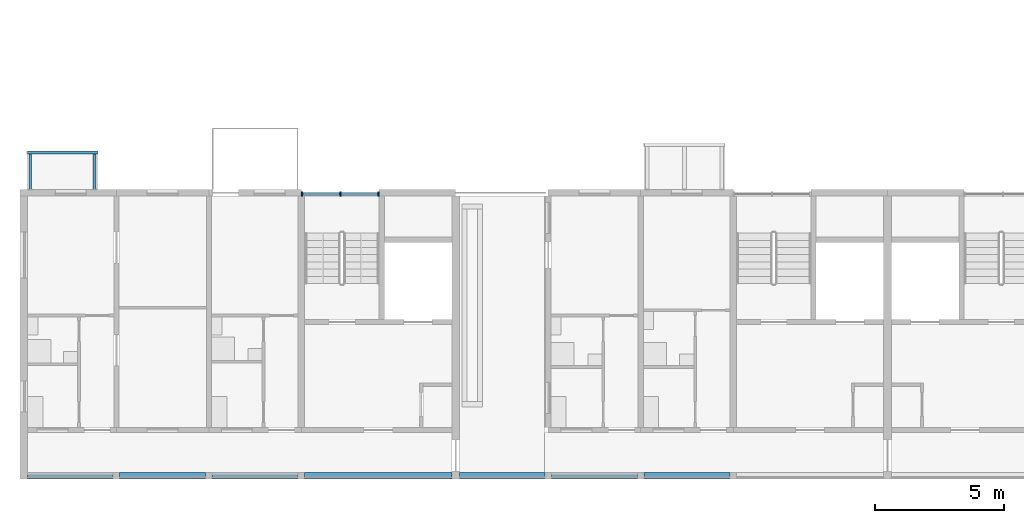
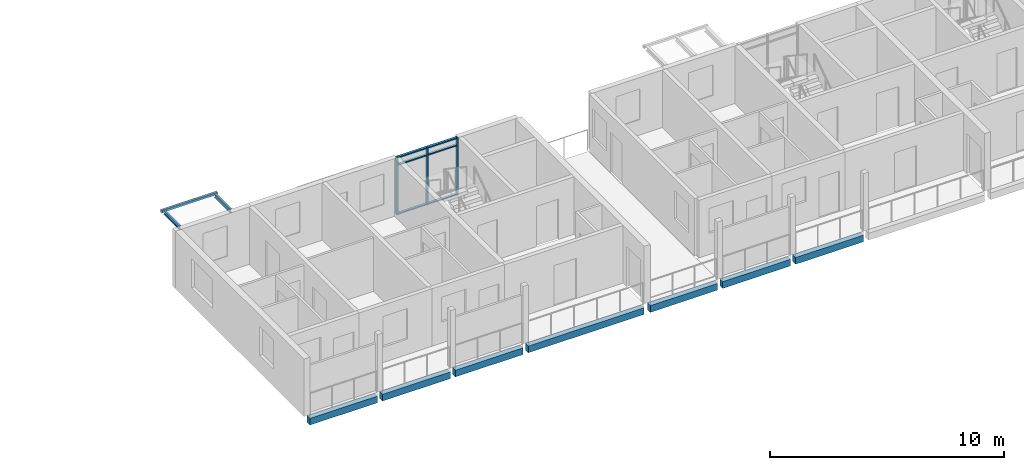
# One storey, part 5 of 78: 10 beams, 9 members, 1 element without a shape of its own.
"""IFC4 building model written with IfcOpenShell, lengths in metres."""

from ifc_helpers import new_model, si_unit, direction, frame, origin, origin_2d, place, context, subcontext, project, spatial, rectangle, hollow_rectangle, i_section, extrude, material, material_profile, profile_set, type_object, element, aggregate, save


model = new_model("IFC4")

# Units and contexts
model_context = context("Model", 3, precision=1e-05, world=origin(), true_north=direction((0.0, 1.0)))
body_context = subcontext(model_context, "Body", "Model", "MODEL_VIEW")
ifc_project = project(units=[si_unit("LENGTHUNIT", "METRE"), si_unit("AREAUNIT", "SQUARE_METRE"), si_unit("VOLUMEUNIT", "CUBIC_METRE"), si_unit("PLANEANGLEUNIT", "RADIAN"), si_unit("MASSUNIT", "GRAM", prefix="KILO")], contexts=[model_context])

# Site, building, storey
site_placement = place(None, origin())
site = spatial("IfcSite", under=ifc_project, at=site_placement, CompositionType="ELEMENT")
building_placement = place(site_placement, origin())
building = spatial("IfcBuilding", under=site, at=building_placement, Name="Ridgestep Commons", CompositionType="ELEMENT")
storey_placement = place(building_placement, frame((0.0, 0.0, 30.0)))
storey = spatial("IfcBuildingStorey", under=building, at=storey_placement, Name="L10", CompositionType="ELEMENT", Elevation=30.0)

# Beams
ifc_material_1 = material(Name="Precast concrete C40/50", Category="concrete")
ifc_material_profile_1 = material_profile(ifc_material_1, rectangle(XDim=0.25, YDim=0.35009765625, at=origin_2d()), Name="PC 250x350")
ifc_profile_set_1 = profile_set([ifc_material_profile_1], Name="Precast concrete C40/50")
beam_type_1 = type_object("IfcBeamType", Name="Loggia edge beam 250 x 350", PredefinedType="SPANDREL", material=ifc_profile_set_1)
beam_1_placement = place(storey_placement, frame((12.14990234375, 11.875, -0.375), z_axis=(1.0, 0.0, 0.0), x_axis=(0.0, 1.0, 0.0)))
element("IfcBeam", 1, at=beam_1_placement, inside=storey, type_object=beam_type_1, Name="Loggia edge beam A1T1 L10", PredefinedType="SPANDREL", context=body_context, shape_type="SweptSolid", body=[
    extrude(rectangle(XDim=0.25, YDim=0.35009765625, at=origin_2d()), origin(), (0.0, 0.0, 1.0), 3.3251953125),
])
beam_2_placement = place(storey_placement, frame((15.72509765625, 11.875, -0.375), z_axis=(1.0, 0.0, 0.0), x_axis=(0.0, 1.0, 0.0)))
element("IfcBeam", 2, at=beam_2_placement, inside=storey, type_object=beam_type_1, Name="Loggia edge beam A1T2 L10", PredefinedType="SPANDREL", context=body_context, shape_type="SweptSolid", body=[
    extrude(rectangle(XDim=0.25, YDim=0.35009765625, at=origin_2d()), origin(), (0.0, 0.0, 1.0), 3.349853515625),
])
beam_3_placement = place(storey_placement, frame((19.324951171875, 11.875, -0.375), z_axis=(1.0, 0.0, 0.0), x_axis=(0.0, 1.0, 0.0)))
element("IfcBeam", 3, at=beam_3_placement, inside=storey, type_object=beam_type_1, Name="Loggia edge beam A1T3 L10", PredefinedType="SPANDREL", context=body_context, shape_type="SweptSolid", body=[
    extrude(rectangle(XDim=0.25, YDim=0.35009765625, at=origin_2d()), origin(), (0.0, 0.0, 1.0), 3.35009765625),
])
beam_4_placement = place(storey_placement, frame((22.925048828125, 11.875, -0.375), z_axis=(1.0, 0.0, 0.0), x_axis=(0.0, 1.0, 0.0)))
element("IfcBeam", 4, at=beam_4_placement, inside=storey, type_object=beam_type_1, Name="Loggia edge beam A1C L10", PredefinedType="SPANDREL", context=body_context, shape_type="SweptSolid", body=[
    extrude(rectangle(XDim=0.25, YDim=0.35009765625, at=origin_2d()), origin(), (0.0, 0.0, 1.0), 5.724853515625),
])
beam_5_placement = place(storey_placement, frame((28.949951171875, 11.875, -0.375), z_axis=(1.0, 0.0, 0.0), x_axis=(0.0, 1.0, 0.0)))
element("IfcBeam", 5, at=beam_5_placement, inside=storey, type_object=beam_type_1, Name="Loggia edge beam A2T1 L10", PredefinedType="SPANDREL", context=body_context, shape_type="SweptSolid", body=[
    extrude(rectangle(XDim=0.25, YDim=0.35009765625, at=origin_2d()), origin(), (0.0, 0.0, 1.0), 3.324951171875),
])
for number, where, z_axis, x_axis, name in (
    (6, (32.52490234375, 11.875, -0.375), (1.0, 0.0, 0.0), (0.0, 1.0, 0.0), "Loggia edge beam A2T2 L10"),
    (7, (36.125, 11.875, -0.375), (1.0, 0.0, 0.0), (0.0, 1.0, 0.0), "Loggia edge beam A2T3 L10"),
):
    element("IfcBeam", number, at=place(storey_placement, frame(where, z_axis=z_axis, x_axis=x_axis)), inside=storey, type_object=beam_type_1, Name=name, PredefinedType="SPANDREL", context=body_context, shape_type="SweptSolid", body=[
        extrude(rectangle(XDim=0.25, YDim=0.35009765625, at=origin_2d()), origin(), (0.0, 0.0, 1.0), 3.35009765625),
    ])

# Curtain wall, members
ifc_material_2 = material(Name="Aluminium 6063-T6 and glass", Category="aluminium")
curtain_wall_type = type_object("IfcCurtainWallType", Name="Curtain wall stair strip", PredefinedType="NOTDEFINED", material=ifc_material_2)
curtain_wall_placement = place(storey_placement, origin())
curtain_wall = element("IfcCurtainWall", 8, at=curtain_wall_placement, inside=storey, type_object=curtain_wall_type, Name="Curtain wall A1C level 10", PredefinedType="NOTDEFINED")
ifc_material_3 = material(Name="Aluminium 6063-T6", Category="aluminium")
ifc_material_profile_2 = material_profile(ifc_material_3, rectangle(XDim=0.159912109375, YDim=0.06005859375, at=origin_2d()), Name="Mullion 60 x 160")
ifc_profile_set_2 = profile_set([ifc_material_profile_2], Name="Aluminium 6063-T6")
member_type_1 = type_object("IfcMemberType", Name="Mullion 60 x 160", PredefinedType="MULLION", material=ifc_profile_set_2)
member_1_placement = place(storey_placement, frame((22.830078125, 22.830078125, 0.0), z_axis=(0.0, 0.0, 1.0), x_axis=(0.0, 1.0, 0.0)))
member_1 = element("IfcMember", 9, at=member_1_placement, type_object=member_type_1, Name="CW1 mullion 1", PredefinedType="MULLION", context=body_context, shape_type="SweptSolid", body=[
    extrude(rectangle(XDim=0.159912109375, YDim=0.06005859375, at=origin_2d()), origin(), (0.0, 0.0, 1.0), 3.0),
])
member_2_placement = place(storey_placement, frame((24.3125, 22.830078125, 0.0), z_axis=(0.0, 0.0, 1.0), x_axis=(0.0, 1.0, 0.0)))
member_2 = element("IfcMember", 10, at=member_2_placement, type_object=member_type_1, Name="CW1 mullion 2", PredefinedType="MULLION", context=body_context, shape_type="SweptSolid", body=[
    extrude(rectangle(XDim=0.159912109375, YDim=0.06005859375, at=origin_2d()), origin(), (0.0, 0.0, 1.0), 3.0),
])
member_3_placement = place(storey_placement, frame((25.794921875, 22.830078125, 0.0), z_axis=(0.0, 0.0, 1.0), x_axis=(0.0, 1.0, 0.0)))
member_3 = element("IfcMember", 11, at=member_3_placement, type_object=member_type_1, Name="CW1 mullion 3", PredefinedType="MULLION", context=body_context, shape_type="SweptSolid", body=[
    extrude(rectangle(XDim=0.159912109375, YDim=0.06005859375, at=origin_2d()), origin(), (0.0, 0.0, 1.0), 3.0),
])
ifc_material_4 = material(Name="Aluminium 6063-T6", Category="aluminium")
ifc_material_profile_3 = material_profile(ifc_material_4, rectangle(XDim=0.1201171875, YDim=0.06005859375, at=origin_2d()), Name="Transom 60 x 120")
ifc_profile_set_3 = profile_set([ifc_material_profile_3], Name="Aluminium 6063-T6")
member_type_2 = type_object("IfcMemberType", Name="Transom 60 x 120", PredefinedType="USERDEFINED", material=ifc_profile_set_3)
member_4_placement = place(storey_placement, frame((22.860107421875, 22.830078125, 0.030029296875), z_axis=(1.0, 0.0, 0.0), x_axis=(0.0, 1.0, 0.0)))
member_4 = element("IfcMember", 12, at=member_4_placement, type_object=member_type_2, Name="CW1 transom 1.1", ObjectType="TRANSOM", PredefinedType="USERDEFINED", context=body_context, shape_type="SweptSolid", body=[
    extrude(rectangle(XDim=0.1201171875, YDim=0.06005859375, at=origin_2d()), origin(), (0.0, 0.0, 1.0), 1.42236328125),
])
member_5_placement = place(storey_placement, frame((22.860107421875, 22.830078125, 2.590087890625), z_axis=(1.0, 0.0, 0.0), x_axis=(0.0, 1.0, 0.0)))
member_5 = element("IfcMember", 13, at=member_5_placement, type_object=member_type_2, Name="CW1 transom 1.2", ObjectType="TRANSOM", PredefinedType="USERDEFINED", context=body_context, shape_type="SweptSolid", body=[
    extrude(rectangle(XDim=0.1201171875, YDim=0.06005859375, at=origin_2d()), origin(), (0.0, 0.0, 1.0), 1.42236328125),
])
member_6_placement = place(storey_placement, frame((22.860107421875, 22.830078125, 2.969970703125), z_axis=(1.0, 0.0, 0.0), x_axis=(0.0, 1.0, 0.0)))
member_6 = element("IfcMember", 14, at=member_6_placement, type_object=member_type_2, Name="CW1 transom 1.3", ObjectType="TRANSOM", PredefinedType="USERDEFINED", context=body_context, shape_type="SweptSolid", body=[
    extrude(rectangle(XDim=0.1201171875, YDim=0.06005859375, at=origin_2d()), origin(), (0.0, 0.0, 1.0), 1.42236328125),
])
member_7_placement = place(storey_placement, frame((24.342529296875, 22.830078125, 0.030029296875), z_axis=(1.0, 0.0, 0.0), x_axis=(0.0, 1.0, 0.0)))
member_7 = element("IfcMember", 15, at=member_7_placement, type_object=member_type_2, Name="CW1 transom 2.1", ObjectType="TRANSOM", PredefinedType="USERDEFINED", context=body_context, shape_type="SweptSolid", body=[
    extrude(rectangle(XDim=0.1201171875, YDim=0.06005859375, at=origin_2d()), origin(), (0.0, 0.0, 1.0), 1.42236328125),
])
member_8_placement = place(storey_placement, frame((24.342529296875, 22.830078125, 2.590087890625), z_axis=(1.0, 0.0, 0.0), x_axis=(0.0, 1.0, 0.0)))
member_8 = element("IfcMember", 16, at=member_8_placement, type_object=member_type_2, Name="CW1 transom 2.2", ObjectType="TRANSOM", PredefinedType="USERDEFINED", context=body_context, shape_type="SweptSolid", body=[
    extrude(rectangle(XDim=0.1201171875, YDim=0.06005859375, at=origin_2d()), origin(), (0.0, 0.0, 1.0), 1.42236328125),
])
member_9_placement = place(storey_placement, frame((24.342529296875, 22.830078125, 2.969970703125), z_axis=(1.0, 0.0, 0.0), x_axis=(0.0, 1.0, 0.0)))
member_9 = element("IfcMember", 17, at=member_9_placement, type_object=member_type_2, Name="CW1 transom 2.3", ObjectType="TRANSOM", PredefinedType="USERDEFINED", context=body_context, shape_type="SweptSolid", body=[
    extrude(rectangle(XDim=0.1201171875, YDim=0.06005859375, at=origin_2d()), origin(), (0.0, 0.0, 1.0), 1.42236328125),
])
aggregate(curtain_wall, [member_1, member_2, member_3, member_4, member_5, member_6, member_7, member_8, member_9])

# Beams
ifc_material_5 = material(Name="Weathering steel S355J2W", Category="steel")
ifc_material_profile_4 = material_profile(ifc_material_5, i_section(OverallWidth=0.101806640625, OverallDepth=0.203125, WebThickness=0.00537109375, FlangeThickness=0.00927734375, FilletRadius=0.007568359375, at=origin_2d()), Name="UB 203x102x23")
ifc_profile_set_4 = profile_set([ifc_material_profile_4], Name="Weathering steel S355J2W")
beam_type_2 = type_object("IfcBeamType", Name="Tray arm UB 203x102x23", PredefinedType="BEAM", material=ifc_profile_set_4)
for number, where, z_axis, x_axis, name in (
    (18, (12.25, 23.014892578125, 2.888427734375), (0.0, 1.0, 0.0), (-1.0, 0.0, 0.0), "Tray arm A1T1-11.1"),
    (19, (14.75, 23.014892578125, 2.888427734375), (0.0, 1.0, 0.0), (-1.0, 0.0, 0.0), "Tray arm A1T1-11.2"),
):
    element("IfcBeam", number, at=place(storey_placement, frame(where, z_axis=z_axis, x_axis=x_axis)), inside=storey, type_object=beam_type_2, Name=name, PredefinedType="BEAM", context=body_context, shape_type="SweptSolid", body=[
        extrude(i_section(OverallWidth=0.101806640625, OverallDepth=0.203125, WebThickness=0.00537109375, FlangeThickness=0.00927734375, FilletRadius=0.007568359375, at=origin_2d()), origin(), (0.0, 0.0, 1.0), 1.364990234375),
    ])
ifc_material_6 = material(Name="Weathering steel S355J2W", Category="steel")
ifc_material_profile_5 = material_profile(ifc_material_6, hollow_rectangle(XDim=0.1201171875, YDim=0.1201171875, WallThickness=0.00634765625, InnerFilletRadius=0.00634765625, OuterFilletRadius=0.009521484375, at=origin_2d()), Name="SHS 120x120x6.3")
ifc_profile_set_5 = profile_set([ifc_material_profile_5], Name="Weathering steel S355J2W")
beam_type_3 = type_object("IfcBeamType", Name="Tray edge member SHS 120x120x6.3", PredefinedType="BEAM", material=ifc_profile_set_5)
beam_6_placement = place(storey_placement, frame((12.1298828125, 24.43994140625, 2.929931640625), z_axis=(1.0, 0.0, 0.0), x_axis=(0.0, 0.0, 1.0)))
element("IfcBeam", 20, at=beam_6_placement, inside=storey, type_object=beam_type_3, Name="Tray edge member A1T1-11", PredefinedType="BEAM", context=body_context, shape_type="SweptSolid", body=[
    extrude(hollow_rectangle(XDim=0.1201171875, YDim=0.1201171875, WallThickness=0.00634765625, InnerFilletRadius=0.00634765625, OuterFilletRadius=0.009521484375, at=origin_2d()), origin(), (0.0, 0.0, 1.0), 2.740234375),
])

save(model, "model.ifc")
